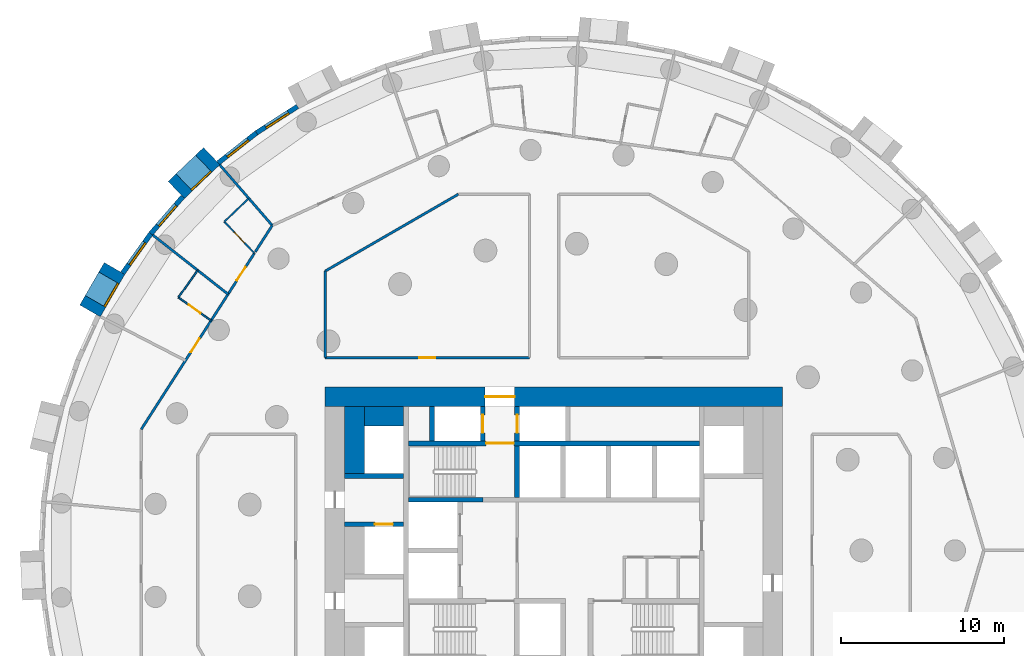
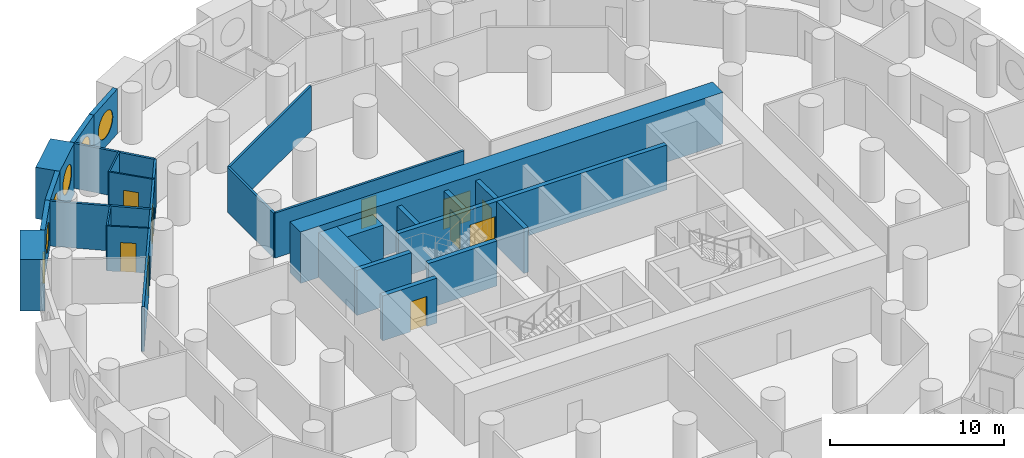
# One storey, part 7 of 11: 28 walls, 10 doors, 6 windows, 16 openings.
"""IFC4 building model written with IfcOpenShell, lengths in metres."""

from ifc_helpers import new_model, si_unit, direction, frame, frame_2d, origin, origin_2d, place, context, subcontext, project, spatial, rectangle, circle, extrude, material, layer, layer_set, type_object, element, fill, save


model = new_model("IFC4")

# Units and contexts
model_context = context("Model", 3, precision=1e-05, world=origin(), true_north=direction((0.0, 1.0)))
body_context = subcontext(model_context, "Body", "Model", "MODEL_VIEW")
ifc_project = project(units=[si_unit("LENGTHUNIT", "METRE"), si_unit("AREAUNIT", "SQUARE_METRE"), si_unit("VOLUMEUNIT", "CUBIC_METRE"), si_unit("PLANEANGLEUNIT", "RADIAN"), si_unit("MASSUNIT", "GRAM", prefix="KILO")], contexts=[model_context])

# Site, building, storey
site_placement = place(None, origin())
site = spatial("IfcSite", under=ifc_project, at=site_placement, CompositionType="ELEMENT")
building_placement = place(site_placement, origin())
building = spatial("IfcBuilding", under=site, at=building_placement, Name="Tracery Tower", CompositionType="ELEMENT")
storey_placement = place(building_placement, frame((0.0, 0.0, 93.0)))
storey = spatial("IfcBuildingStorey", under=building, at=storey_placement, Name="L23", CompositionType="ELEMENT", Elevation=93.0)

# Walls
ifc_material_1 = material(Name="Concrete C60/75", Category="concrete")
ifc_layer_1 = layer(ifc_material_1, 1.199951171875)
ifc_layer_set_1 = layer_set([ifc_layer_1], Name="Core strip wall 1200 C60")
wall_type_1 = type_object("IfcWallType", Name="Core strip wall 1200 C60", PredefinedType="SOLIDWALL", material=ifc_layer_set_1)
wall_1_placement = place(storey_placement, frame((-12.199951171875, 4.699951171875, 0.0), z_axis=(0.0, 0.0, 1.0), x_axis=(0.0, 1.0, 0.0)))
element("IfcWall", 1, at=wall_1_placement, inside=storey, type_object=wall_type_1, Name="L23 wing strip -1 4.55", PredefinedType="SOLIDWALL", context=body_context, shape_type="SweptSolid", body=[
    extrude(rectangle(XDim=4.10009765625, YDim=1.199951171875, at=frame_2d((2.050048828125, 0.0))), origin(), (0.0, 0.0, 1.0), 3.14990234375),
])
wall_2_placement = place(storey_placement, frame((-11.60009765625, 8.199951171875, 0.0), z_axis=(0.0, 0.0, 1.0), x_axis=(1.0, 0.0, 0.0)))
element("IfcWall", 2, at=wall_2_placement, inside=storey, type_object=wall_type_1, Name="L23 wing corner -1 +8.2", PredefinedType="SOLIDWALL", context=body_context, shape_type="SweptSolid", body=[
    extrude(rectangle(XDim=2.400146484375, YDim=1.199951171875, at=frame_2d((1.2001953125, 0.0))), origin(), (0.0, 0.0, 1.0), 3.14990234375),
])

# Wall, opening, door
ifc_material_2 = material(Name="Concrete C60/75", Category="concrete")
ifc_layer_2 = layer(ifc_material_2, 1.199951171875)
ifc_layer_set_2 = layer_set([ifc_layer_2], Name="Core wall 1200 C60")
wall_type_2 = type_object("IfcWallType", Name="Core wall 1200 C60", PredefinedType="SOLIDWALL", material=ifc_layer_set_2)
wall_3_placement = place(storey_placement, frame((-14.0, 9.39990234375, 0.0), z_axis=(0.0, 0.0, 1.0), x_axis=(1.0, 0.0, 0.0)))
wall_3 = element("IfcWall", 3, at=wall_3_placement, inside=storey, type_object=wall_type_2, Name="L23 outer N", PredefinedType="SOLIDWALL", context=body_context, shape_type="SweptSolid", body=[
    extrude(rectangle(XDim=28.0, YDim=1.199951171875, at=frame_2d((14.0, 0.0))), origin(), (0.0, 0.0, 1.0), 3.60009765625),
])
opening_1_placement = place(wall_3_placement, frame((9.800048828125, 0.0, 0.0)))
opening_1 = element("IfcOpeningElement", 4, at=opening_1_placement, cuts=wall_3, Name="Opening KD13", PredefinedType="OPENING", context=body_context, shape_type="SweptSolid", body=[
    extrude(rectangle(XDim=1.800048828125, YDim=2.10009765625, at=frame_2d((0.89990234375, 1.050048828125))), frame((0.0, 0.60009765625, 0.0), z_axis=(0.0, -1.0, 0.0), x_axis=(1.0, 0.0, 0.0)), (0.0, 0.0, 1.0), 1.199951171875),
])
ifc_material_3 = material(Name="Steel fire door", Category="steel")
door_type_1 = type_object("IfcDoorType", Name="Core exit door 1800 double", OperationType="NOTDEFINED", PredefinedType="DOOR", material=ifc_material_3)
door_1_placement = place(opening_1_placement, origin())
door_1 = element("IfcDoor", 5, at=door_1_placement, inside=storey, type_object=door_type_1, Name="Core exit door", OperationType="DOUBLE_DOOR_SINGLE_SWING", OverallHeight=2.10009765625, OverallWidth=1.800048828125, PredefinedType="DOOR", context=body_context, shape_type="SweptSolid", body=[
    extrude(rectangle(XDim=1.800048828125, YDim=2.10009765625, at=frame_2d((0.89990234375, 1.050048828125))), frame((0.0, 0.02490234375, 0.0), z_axis=(0.0, -1.0, 0.0), x_axis=(1.0, 0.0, 0.0)), (0.0, 0.0, 1.0), 0.050048828125),
])
fill(opening_1, door_1)

# Wall, opening, window
ifc_material_4 = material(Name="Precast concrete C50/60", Category="concrete")
ifc_layer_3 = layer(ifc_material_4, 1.449951171875)
ifc_layer_set_3 = layer_set([ifc_layer_3], Name="Deep-set bay unit 3000 x 3600, slab edge 450")
wall_type_3 = type_object("IfcWallType", Name="Deep-set bay unit 3000 x 3600, slab edge 450", PredefinedType="ELEMENTEDWALL", material=ifc_layer_set_3)
wall_4_placement = place(storey_placement, frame((-20.9375, 24.13232421875, -0.449951171875), z_axis=(0.0, 0.0, 1.0), x_axis=(-0.723712023899, -0.690102098579, 0.0)))
wall_4 = element("IfcWall", 6, at=wall_4_placement, inside=storey, type_object=wall_type_3, Name="Deep-set bay unit 25 at L23", PredefinedType="ELEMENTEDWALL", context=body_context, shape_type="SweptSolid", body=[
    extrude(rectangle(XDim=3.0, YDim=1.449951171875, at=frame_2d((1.5, 0.0))), origin(), (0.0, 0.0, 1.0), 3.599853515625),
])
opening_2_placement = place(wall_4_placement, frame((1.5, 0.0, 2.0)))
opening_2 = element("IfcOpeningElement", 7, at=opening_2_placement, cuts=wall_4, Name="Opening WN1", PredefinedType="OPENING", context=body_context, shape_type="SweptSolid", body=[
    extrude(circle(Radius=0.9000244140625, at=origin_2d()), frame((0.0, 0.73486328125, 0.0), z_axis=(0.0, -1.0, 0.0), x_axis=(1.0, 0.0, 0.0)), (0.0, 0.0, 1.0), 1.469970703125),
])
ifc_material_5 = material(Name="Aluminium frame with tinted double glazing", Category="aluminium")
window_type = type_object("IfcWindowType", Name="Round window 1800", PartitioningType="SINGLE_PANEL", PredefinedType="WINDOW", material=ifc_material_5)
window_1_placement = place(opening_2_placement, origin())
window_1 = element("IfcWindow", 8, at=window_1_placement, inside=storey, type_object=window_type, Name="Round window 25 at L23", OverallHeight=1.800048828125, OverallWidth=1.800048828125, PartitioningType="SINGLE_PANEL", PredefinedType="WINDOW", context=body_context, shape_type="SweptSolid", body=[
    extrude(circle(Radius=0.9000244140625, at=origin_2d()), frame((0.0, 0.69482421875, 0.0), z_axis=(0.0, -1.0, 0.0), x_axis=(1.0, 0.0, 0.0)), (0.0, 0.0, 1.0), 0.10009765625),
])
fill(opening_2, window_1)

wall_5_placement = place(storey_placement, frame((-26.88818359375, 17.256103515625, -0.449951171875), z_axis=(0.0, 0.0, 1.0), x_axis=(-0.499990139034, -0.866031096941, 0.0)))
wall_5 = element("IfcWall", 9, at=wall_5_placement, inside=storey, type_object=wall_type_3, Name="Deep-set bay unit 28 at L23", PredefinedType="ELEMENTEDWALL", context=body_context, shape_type="SweptSolid", body=[
    extrude(rectangle(XDim=3.0, YDim=1.449951171875, at=frame_2d((1.5, 0.0))), origin(), (0.0, 0.0, 1.0), 3.599853515625),
])
opening_3_placement = place(wall_5_placement, frame((1.5, 0.0, 2.0)))
opening_3 = element("IfcOpeningElement", 10, at=opening_3_placement, cuts=wall_5, Name="Opening WN1", PredefinedType="OPENING", context=body_context, shape_type="SweptSolid", body=[
    extrude(circle(Radius=0.9000244140625, at=origin_2d()), frame((0.0, 0.73486328125, 0.0), z_axis=(0.0, -1.0, 0.0), x_axis=(1.0, 0.0, 0.0)), (0.0, 0.0, 1.0), 1.469970703125),
])
window_2_placement = place(opening_3_placement, origin())
window_2 = element("IfcWindow", 11, at=window_2_placement, inside=storey, type_object=window_type, Name="Round window 28 at L23", OverallHeight=1.800048828125, OverallWidth=1.800048828125, PartitioningType="SINGLE_PANEL", PredefinedType="WINDOW", context=body_context, shape_type="SweptSolid", body=[
    extrude(circle(Radius=0.9000244140625, at=origin_2d()), frame((0.0, 0.69482421875, 0.0), z_axis=(0.0, -1.0, 0.0), x_axis=(1.0, 0.0, 0.0)), (0.0, 0.0, 1.0), 0.10009765625),
])
fill(opening_3, window_2)

ifc_material_6 = material(Name="Precast concrete C50/60", Category="concrete")
ifc_layer_4 = layer(ifc_material_6, 0.300048828125)
ifc_layer_set_4 = layer_set([ifc_layer_4], Name="Facade panel 3000 x 3150")
wall_type_4 = type_object("IfcWallType", Name="Facade panel 3000 x 3150", PredefinedType="SOLIDWALL", material=ifc_layer_set_4)
wall_6_placement = place(storey_placement, frame((-15.6923828125, 27.167724609375, 0.0), z_axis=(0.0, 0.0, 1.0), x_axis=(-0.841260995538, -0.54062920508, 0.0)))
wall_6 = element("IfcWall", 12, at=wall_6_placement, inside=storey, type_object=wall_type_4, Name="Facade panel 23 at L23", PredefinedType="SOLIDWALL", context=body_context, shape_type="SweptSolid", body=[
    extrude(rectangle(XDim=2.9794921875, YDim=0.300048828125, at=frame_2d((1.48974609375, 0.0))), origin(), (0.0, 0.0, 1.0), 3.14990234375),
])
opening_4_placement = place(wall_6_placement, frame((1.48974609375, 0.0, 1.5498046875)))
opening_4 = element("IfcOpeningElement", 13, at=opening_4_placement, cuts=wall_6, Name="Opening WN1", PredefinedType="OPENING", context=body_context, shape_type="SweptSolid", body=[
    extrude(circle(Radius=0.9000244140625, at=origin_2d()), frame((0.0, 0.159912109375, 0.0), z_axis=(0.0, -1.0, 0.0), x_axis=(1.0, 0.0, 0.0)), (0.0, 0.0, 1.0), 0.320068359375),
])
window_3_placement = place(opening_4_placement, origin())
window_3 = element("IfcWindow", 14, at=window_3_placement, inside=storey, type_object=window_type, Name="Round window 23 at L23", OverallHeight=1.800048828125, OverallWidth=1.800048828125, PartitioningType="SINGLE_PANEL", PredefinedType="WINDOW", context=body_context, shape_type="SweptSolid", body=[
    extrude(circle(Radius=0.9000244140625, at=origin_2d()), frame((0.0, 0.1201171875, 0.0), z_axis=(0.0, -1.0, 0.0), x_axis=(1.0, 0.0, 0.0)), (0.0, 0.0, 1.0), 0.10009765625),
])
fill(opening_4, window_3)

wall_7_placement = place(storey_placement, frame((-18.198974609375, 25.556884765625, 0.0), z_axis=(0.0, 0.0, 1.0), x_axis=(-0.786053834673, -0.618158045322, 0.0)))
wall_7 = element("IfcWall", 15, at=wall_7_placement, inside=storey, type_object=wall_type_4, Name="Facade panel 24 at L23", PredefinedType="SOLIDWALL", context=body_context, shape_type="SweptSolid", body=[
    extrude(rectangle(XDim=2.9794921875, YDim=0.300048828125, at=frame_2d((1.48974609375, 0.0))), origin(), (0.0, 0.0, 1.0), 3.14990234375),
])
opening_5_placement = place(wall_7_placement, frame((1.48974609375, 0.0, 1.5498046875)))
opening_5 = element("IfcOpeningElement", 16, at=opening_5_placement, cuts=wall_7, Name="Opening WN1", PredefinedType="OPENING", context=body_context, shape_type="SweptSolid", body=[
    extrude(circle(Radius=0.9000244140625, at=origin_2d()), frame((0.0, 0.159912109375, 0.0), z_axis=(0.0, -1.0, 0.0), x_axis=(1.0, 0.0, 0.0)), (0.0, 0.0, 1.0), 0.320068359375),
])
window_4_placement = place(opening_5_placement, origin())
window_4 = element("IfcWindow", 17, at=window_4_placement, inside=storey, type_object=window_type, Name="Round window 24 at L23", OverallHeight=1.800048828125, OverallWidth=1.800048828125, PartitioningType="SINGLE_PANEL", PredefinedType="WINDOW", context=body_context, shape_type="SweptSolid", body=[
    extrude(circle(Radius=0.9000244140625, at=origin_2d()), frame((0.0, 0.1201171875, 0.0), z_axis=(0.0, -1.0, 0.0), x_axis=(1.0, 0.0, 0.0)), (0.0, 0.0, 1.0), 0.10009765625),
])
fill(opening_5, window_4)

wall_8_placement = place(storey_placement, frame((-22.710693359375, 21.646240234375, 0.0), z_axis=(0.0, 0.0, 1.0), x_axis=(-0.654830712471, -0.755775587066, 0.0)))
wall_8 = element("IfcWall", 18, at=wall_8_placement, inside=storey, type_object=wall_type_4, Name="Facade panel 26 at L23", PredefinedType="SOLIDWALL", context=body_context, shape_type="SweptSolid", body=[
    extrude(rectangle(XDim=2.979736328125, YDim=0.300048828125, at=frame_2d((1.48974609375, 0.0))), origin(), (0.0, 0.0, 1.0), 3.14990234375),
])
opening_6_placement = place(wall_8_placement, frame((1.48974609375, 0.0, 1.5498046875)))
opening_6 = element("IfcOpeningElement", 19, at=opening_6_placement, cuts=wall_8, Name="Opening WN1", PredefinedType="OPENING", context=body_context, shape_type="SweptSolid", body=[
    extrude(circle(Radius=0.9000244140625, at=origin_2d()), frame((0.0, 0.159912109375, 0.0), z_axis=(0.0, -1.0, 0.0), x_axis=(1.0, 0.0, 0.0)), (0.0, 0.0, 1.0), 0.320068359375),
])
window_5_placement = place(opening_6_placement, origin())
window_5 = element("IfcWindow", 20, at=window_5_placement, inside=storey, type_object=window_type, Name="Round window 26 at L23", OverallHeight=1.800048828125, OverallWidth=1.800048828125, PartitioningType="SINGLE_PANEL", PredefinedType="WINDOW", context=body_context, shape_type="SweptSolid", body=[
    extrude(circle(Radius=0.9000244140625, at=origin_2d()), frame((0.0, 0.1201171875, 0.0), z_axis=(0.0, -1.0, 0.0), x_axis=(1.0, 0.0, 0.0)), (0.0, 0.0, 1.0), 0.10009765625),
])
fill(opening_6, window_5)

wall_9_placement = place(storey_placement, frame((-24.661865234375, 19.394287109375, 0.0), z_axis=(0.0, 0.0, 1.0), x_axis=(-0.580113774115, -0.814535456, 0.0)))
wall_9 = element("IfcWall", 21, at=wall_9_placement, inside=storey, type_object=wall_type_4, Name="Facade panel 27 at L23", PredefinedType="SOLIDWALL", context=body_context, shape_type="SweptSolid", body=[
    extrude(rectangle(XDim=2.979736328125, YDim=0.300048828125, at=frame_2d((1.48974609375, 0.0))), origin(), (0.0, 0.0, 1.0), 3.14990234375),
])
opening_7_placement = place(wall_9_placement, frame((1.48974609375, 0.0, 1.5498046875)))
opening_7 = element("IfcOpeningElement", 22, at=opening_7_placement, cuts=wall_9, Name="Opening WN1", PredefinedType="OPENING", context=body_context, shape_type="SweptSolid", body=[
    extrude(circle(Radius=0.9000244140625, at=origin_2d()), frame((0.0, 0.159912109375, 0.0), z_axis=(0.0, -1.0, 0.0), x_axis=(1.0, 0.0, 0.0)), (0.0, 0.0, 1.0), 0.320068359375),
])
window_6_placement = place(opening_7_placement, origin())
window_6 = element("IfcWindow", 23, at=window_6_placement, inside=storey, type_object=window_type, Name="Round window 27 at L23", OverallHeight=1.800048828125, OverallWidth=1.800048828125, PartitioningType="SINGLE_PANEL", PredefinedType="WINDOW", context=body_context, shape_type="SweptSolid", body=[
    extrude(circle(Radius=0.9000244140625, at=origin_2d()), frame((0.0, 0.1201171875, 0.0), z_axis=(0.0, -1.0, 0.0), x_axis=(1.0, 0.0, 0.0)), (0.0, 0.0, 1.0), 0.10009765625),
])
fill(opening_7, window_6)

# Wall
ifc_material_7 = material(Name="Plasterboard on steel studs", Category="steel")
ifc_layer_5 = layer(ifc_material_7, 0.10009765625)
ifc_layer_set_5 = layer_set([ifc_layer_5], Name="Partition 100 wet wall")
wall_type_5 = type_object("IfcWallType", Name="Partition 100 wet wall", PredefinedType="PARTITIONING", material=ifc_layer_set_5)
wall_10_placement = place(storey_placement, frame((-20.1689453125, 20.117919921875, 0.0), z_axis=(0.0, 0.0, 1.0), x_axis=(0.723537557066, 0.690285016145, 0.0)))
element("IfcWall", 24, at=wall_10_placement, inside=storey, type_object=wall_type_5, Name="Wet wall RA7-063", PredefinedType="PARTITIONING", context=body_context, shape_type="SweptSolid", body=[
    extrude(rectangle(XDim=2.070556640625, YDim=0.10009765625, at=frame_2d((1.03515625, 0.0))), origin(), (0.0, 0.0, 1.0), 3.14990234375),
])

# Wall, opening, door
wall_11_placement = place(storey_placement, frame((-20.1689453125, 20.117919921875, 0.0), z_axis=(0.0, 0.0, 1.0), x_axis=(0.690011756227, -0.723798159896, 0.0)))
wall_11 = element("IfcWall", 25, at=wall_11_placement, inside=storey, type_object=wall_type_5, Name="Wet wall RA7-064", PredefinedType="PARTITIONING", context=body_context, shape_type="SweptSolid", body=[
    extrude(rectangle(XDim=2.66650390625, YDim=0.10009765625, at=frame_2d((1.333251953125, 0.0))), origin(), (0.0, 0.0, 1.0), 3.14990234375),
])
opening_8_placement = place(wall_11_placement, frame((0.883056640625, 0.0, 0.0)))
opening_8 = element("IfcOpeningElement", 26, at=opening_8_placement, cuts=wall_11, Name="Opening RA7-19", PredefinedType="OPENING", context=body_context, shape_type="SweptSolid", body=[
    extrude(rectangle(XDim=0.89990234375, YDim=2.0400390625, at=frame_2d((0.449951171875, 1.02001953125))), frame((0.0, 0.050048828125, 0.0), z_axis=(0.0, -1.0, 0.0), x_axis=(1.0, 0.0, 0.0)), (0.0, 0.0, 1.0), 0.10009765625),
])
ifc_material_8 = material(Name="Timber door leaf", Category="wood")
door_type_2 = type_object("IfcDoorType", Name="Door en-suite 900", OperationType="NOTDEFINED", PredefinedType="DOOR", material=ifc_material_8)
door_2_placement = place(opening_8_placement, origin())
door_2 = element("IfcDoor", 27, at=door_2_placement, inside=storey, type_object=door_type_2, Name="En-suite door RA7-19", OperationType="SINGLE_SWING_LEFT", OverallHeight=2.0400390625, OverallWidth=0.89990234375, PredefinedType="DOOR", context=body_context, shape_type="SweptSolid", body=[
    extrude(rectangle(XDim=0.89990234375, YDim=2.0400390625, at=frame_2d((0.449951171875, 1.02001953125))), frame((0.0, 0.02490234375, 0.0), z_axis=(0.0, -1.0, 0.0), x_axis=(1.0, 0.0, 0.0)), (0.0, 0.0, 1.0), 0.050048828125),
])
fill(opening_8, door_2)

# Wall
wall_12_placement = place(storey_placement, frame((-22.97802734375, 15.486083984375, 0.0), z_axis=(0.0, 0.0, 1.0), x_axis=(0.580283748447, 0.814414373208, 0.0)))
element("IfcWall", 28, at=wall_12_placement, inside=storey, type_object=wall_type_5, Name="Wet wall RA7-066", PredefinedType="PARTITIONING", context=body_context, shape_type="SweptSolid", body=[
    extrude(rectangle(XDim=2.033447265625, YDim=0.10009765625, at=frame_2d((1.0166015625, 0.0))), origin(), (0.0, 0.0, 1.0), 3.14990234375),
])

# Wall, opening, door
wall_13_placement = place(storey_placement, frame((-22.97802734375, 15.486083984375, 0.0), z_axis=(0.0, 0.0, 1.0), x_axis=(0.814519517834, -0.580136152181, 0.0)))
wall_13 = element("IfcWall", 29, at=wall_13_placement, inside=storey, type_object=wall_type_5, Name="Wet wall RA7-067", PredefinedType="PARTITIONING", context=body_context, shape_type="SweptSolid", body=[
    extrude(rectangle(XDim=2.453125, YDim=0.10009765625, at=frame_2d((1.2265625, 0.0))), origin(), (0.0, 0.0, 1.0), 3.14990234375),
])
opening_9_placement = place(wall_13_placement, frame((0.77587890625, 0.0, 0.0)))
opening_9 = element("IfcOpeningElement", 30, at=opening_9_placement, cuts=wall_13, Name="Opening RA7-21", PredefinedType="OPENING", context=body_context, shape_type="SweptSolid", body=[
    extrude(rectangle(XDim=0.89990234375, YDim=2.0400390625, at=frame_2d((0.449951171875, 1.02001953125))), frame((0.0, 0.050048828125, 0.0), z_axis=(0.0, -1.0, 0.0), x_axis=(1.0, 0.0, 0.0)), (0.0, 0.0, 1.0), 0.10009765625),
])
door_3_placement = place(opening_9_placement, origin())
door_3 = element("IfcDoor", 31, at=door_3_placement, inside=storey, type_object=door_type_2, Name="En-suite door RA7-21", OperationType="SINGLE_SWING_LEFT", OverallHeight=2.0400390625, OverallWidth=0.89990234375, PredefinedType="DOOR", context=body_context, shape_type="SweptSolid", body=[
    extrude(rectangle(XDim=0.89990234375, YDim=2.0400390625, at=frame_2d((0.449951171875, 1.02001953125))), frame((0.0, 0.02490234375, 0.0), z_axis=(0.0, -1.0, 0.0), x_axis=(1.0, 0.0, 0.0)), (0.0, 0.0, 1.0), 0.050048828125),
])
fill(opening_9, door_3)

# Walls
ifc_material_9 = material(Name="Plasterboard on steel studs", Category="steel")
ifc_layer_6 = layer(ifc_material_9, 0.14990234375)
ifc_layer_set_6 = layer_set([ifc_layer_6], Name="Partition 150 acoustic unit wall")
wall_type_6 = type_object("IfcWallType", Name="Partition 150 acoustic unit wall", PredefinedType="PARTITIONING", material=ifc_layer_set_6)
wall_14_placement = place(storey_placement, frame((-20.447998046875, 23.597900390625, 0.0), z_axis=(0.0, 0.0, 1.0), x_axis=(0.654900226821, -0.755715351776, 0.0)))
element("IfcWall", 32, at=wall_14_placement, inside=storey, type_object=wall_type_6, Name="Unit wall RA7-062", PredefinedType="PARTITIONING", context=body_context, shape_type="SweptSolid", body=[
    extrude(rectangle(XDim=4.90625, YDim=0.14990234375, at=frame_2d((2.453125, 0.0))), origin(), (0.0, 0.0, 1.0), 3.14990234375),
])
wall_15_placement = place(storey_placement, frame((-24.5439453125, 19.302001953125, 0.0), z_axis=(0.0, 0.0, 1.0), x_axis=(0.786034767432, -0.618182290581, 0.0)))
element("IfcWall", 33, at=wall_15_placement, inside=storey, type_object=wall_type_6, Name="Unit wall RA7-065", PredefinedType="PARTITIONING", context=body_context, shape_type="SweptSolid", body=[
    extrude(rectangle(XDim=5.857177734375, YDim=0.14990234375, at=frame_2d((2.9287109375, 0.0))), origin(), (0.0, 0.0, 1.0), 3.14990234375),
])

# Wall, opening, door
ifc_material_10 = material(Name="Plasterboard on steel studs", Category="steel")
ifc_layer_7 = layer(ifc_material_10, 0.14990234375)
ifc_layer_set_7 = layer_set([ifc_layer_7], Name="Partition 150 corridor wall")
wall_type_7 = type_object("IfcWallType", Name="Partition 150 corridor wall", PredefinedType="PARTITIONING", material=ifc_layer_set_7)
wall_16_placement = place(storey_placement, frame((-14.00390625, 11.800048828125, 0.0), z_axis=(0.0, 0.0, 1.0), x_axis=(1.0, 0.0, 0.0)))
wall_16 = element("IfcWall", 34, at=wall_16_placement, inside=storey, type_object=wall_type_7, Name="Corridor wall RA7-001", PredefinedType="PARTITIONING", context=body_context, shape_type="SweptSolid", body=[
    extrude(rectangle(XDim=12.517822265625, YDim=0.14990234375, at=frame_2d((6.2587890625, 0.0))), origin(), (0.0, 0.0, 1.0), 3.14990234375),
])
opening_10_placement = place(wall_16_placement, frame((5.759033203125, 0.0, 0.0)))
opening_10 = element("IfcOpeningElement", 35, at=opening_10_placement, cuts=wall_16, Name="Opening RA7-01", PredefinedType="OPENING", context=body_context, shape_type="SweptSolid", body=[
    extrude(rectangle(XDim=1.0, YDim=2.0400390625, at=frame_2d((0.5, 1.02001953125))), frame((0.0, 0.074951171875, 0.0), z_axis=(0.0, -1.0, 0.0), x_axis=(1.0, 0.0, 0.0)), (0.0, 0.0, 1.0), 0.14990234375),
])
ifc_material_11 = material(Name="Timber door leaf", Category="wood")
door_type_3 = type_object("IfcDoorType", Name="Door communal room 1000", OperationType="NOTDEFINED", PredefinedType="DOOR", material=ifc_material_11)
door_4_placement = place(opening_10_placement, origin())
door_4 = element("IfcDoor", 36, at=door_4_placement, inside=storey, type_object=door_type_3, Name="Communal room door RA7-01", OperationType="SINGLE_SWING_RIGHT", OverallHeight=2.0400390625, OverallWidth=1.0, PredefinedType="DOOR", context=body_context, shape_type="SweptSolid", body=[
    extrude(rectangle(XDim=1.0, YDim=2.0400390625, at=frame_2d((0.5, 1.02001953125))), frame((0.0, 0.02490234375, 0.0), z_axis=(0.0, -1.0, 0.0), x_axis=(1.0, 0.0, 0.0)), (0.0, 0.0, 1.0), 0.050048828125),
])
fill(opening_10, door_4)

# Walls
wall_17_placement = place(storey_placement, frame((-14.0, 17.092041015625, 0.0), z_axis=(0.0, 0.0, 1.0), x_axis=(0.86602719091, 0.499996904595, 0.0)))
element("IfcWall", 37, at=wall_17_placement, inside=storey, type_object=wall_type_7, Name="Corridor wall RA7-018", PredefinedType="PARTITIONING", context=body_context, shape_type="SweptSolid", body=[
    extrude(rectangle(XDim=9.419921875, YDim=0.14990234375, at=frame_2d((4.7099609375, 0.0))), origin(), (0.0, 0.0, 1.0), 3.14990234375),
])
wall_18_placement = place(storey_placement, frame((-14.0, 11.800048828125, 0.0), z_axis=(0.0, 0.0, 1.0), x_axis=(0.0, 1.0, 0.0)))
element("IfcWall", 38, at=wall_18_placement, inside=storey, type_object=wall_type_7, Name="Corridor wall RA7-019", PredefinedType="PARTITIONING", context=body_context, shape_type="SweptSolid", body=[
    extrude(rectangle(XDim=5.2919921875, YDim=0.14990234375, at=frame_2d((2.64599609375, 0.0))), origin(), (0.0, 0.0, 1.0), 3.14990234375),
])
wall_19_placement = place(storey_placement, frame((-18.27392578125, 18.27392578125, 0.0), z_axis=(0.0, 0.0, 1.0), x_axis=(0.540751168176, 0.841182604502, 0.0)))
element("IfcWall", 39, at=wall_19_placement, inside=storey, type_object=wall_type_7, Name="Corridor wall RA7-026", PredefinedType="PARTITIONING", context=body_context, shape_type="SweptSolid", body=[
    extrude(rectangle(XDim=1.921142578125, YDim=0.14990234375, at=frame_2d((0.96044921875, 0.0))), origin(), (0.0, 0.0, 1.0), 3.14990234375),
])

# Wall, openings, doors
wall_20_placement = place(storey_placement, frame((-25.2509765625, 7.413818359375, 0.0), z_axis=(0.0, 0.0, 1.0), x_axis=(0.540498462047, 0.84134500208, 0.0)))
wall_20 = element("IfcWall", 40, at=wall_20_placement, inside=storey, type_object=wall_type_7, Name="Corridor wall RA7-033", PredefinedType="PARTITIONING", context=body_context, shape_type="SweptSolid", body=[
    extrude(rectangle(XDim=12.810546875, YDim=0.14990234375, at=frame_2d((6.4052734375, 0.0))), origin(), (0.0, 0.0, 1.0), 3.14990234375),
])
opening_11_placement = place(wall_20_placement, frame((10.816650390625, 0.0, 0.0)))
opening_11 = element("IfcOpeningElement", 41, at=opening_11_placement, cuts=wall_20, Name="Opening RA7-20", PredefinedType="OPENING", context=body_context, shape_type="SweptSolid", body=[
    extrude(rectangle(XDim=1.0, YDim=2.10009765625, at=frame_2d((0.5, 1.050048828125))), frame((0.0, 0.074951171875, 0.0), z_axis=(0.0, -1.0, 0.0), x_axis=(1.0, 0.0, 0.0)), (0.0, 0.0, 1.0), 0.14990234375),
])
opening_12_placement = place(wall_20_placement, frame((5.602783203125, 0.0, 0.0)))
opening_12 = element("IfcOpeningElement", 42, at=opening_12_placement, cuts=wall_20, Name="Opening RA7-22", PredefinedType="OPENING", context=body_context, shape_type="SweptSolid", body=[
    extrude(rectangle(XDim=1.0, YDim=2.10009765625, at=frame_2d((0.5, 1.050048828125))), frame((0.0, 0.074951171875, 0.0), z_axis=(0.0, -1.0, 0.0), x_axis=(1.0, 0.0, 0.0)), (0.0, 0.0, 1.0), 0.14990234375),
])
ifc_material_12 = material(Name="Timber door leaf", Category="wood")
door_type_4 = type_object("IfcDoorType", Name="Door unit entrance 1000", OperationType="NOTDEFINED", PredefinedType="DOOR", material=ifc_material_12)
door_5_placement = place(opening_11_placement, origin())
door_5 = element("IfcDoor", 43, at=door_5_placement, inside=storey, type_object=door_type_4, Name="Unit entrance door RA7-20", OperationType="SINGLE_SWING_LEFT", OverallHeight=2.10009765625, OverallWidth=1.0, PredefinedType="DOOR", context=body_context, shape_type="SweptSolid", body=[
    extrude(rectangle(XDim=1.0, YDim=2.10009765625, at=frame_2d((0.5, 1.050048828125))), frame((0.0, 0.02490234375, 0.0), z_axis=(0.0, -1.0, 0.0), x_axis=(1.0, 0.0, 0.0)), (0.0, 0.0, 1.0), 0.050048828125),
])
fill(opening_11, door_5)
door_6_placement = place(opening_12_placement, origin())
door_6 = element("IfcDoor", 44, at=door_6_placement, inside=storey, type_object=door_type_4, Name="Unit entrance door RA7-22", OperationType="SINGLE_SWING_LEFT", OverallHeight=2.10009765625, OverallWidth=1.0, PredefinedType="DOOR", context=body_context, shape_type="SweptSolid", body=[
    extrude(rectangle(XDim=1.0, YDim=2.10009765625, at=frame_2d((0.5, 1.050048828125))), frame((0.0, 0.02490234375, 0.0), z_axis=(0.0, -1.0, 0.0), x_axis=(1.0, 0.0, 0.0)), (0.0, 0.0, 1.0), 0.050048828125),
])
fill(opening_12, door_6)

# Wall
ifc_material_13 = material(Name="Concrete C60/75", Category="concrete")
ifc_layer_8 = layer(ifc_material_13, 0.300048828125)
ifc_layer_set_8 = layer_set([ifc_layer_8], Name="Shaft wall 300 C60")
wall_type_8 = type_object("IfcWallType", Name="Shaft wall 300 C60", PredefinedType="SOLIDWALL", material=ifc_layer_set_8)
wall_21_placement = place(storey_placement, frame((-7.449951171875, 6.699951171875, 0.0), z_axis=(0.0, 0.0, 1.0), x_axis=(0.0, 1.0, 0.0)))
element("IfcWall", 45, at=wall_21_placement, inside=storey, type_object=wall_type_8, Name="L23 LR sep -7.45", PredefinedType="SOLIDWALL", context=body_context, shape_type="SweptSolid", body=[
    extrude(rectangle(XDim=2.10009765625, YDim=0.300048828125, at=frame_2d((1.050048828125, 0.0))), origin(), (0.0, 0.0, 1.0), 3.14990234375),
])

# Wall, opening, door
wall_22_placement = place(storey_placement, frame((-4.35009765625, 6.699951171875, 0.0), z_axis=(0.0, 0.0, 1.0), x_axis=(0.0, 1.0, 0.0)))
wall_22 = element("IfcWall", 46, at=wall_22_placement, inside=storey, type_object=wall_type_8, Name="L23 LR sep -4.35", PredefinedType="SOLIDWALL", context=body_context, shape_type="SweptSolid", body=[
    extrude(rectangle(XDim=2.10009765625, YDim=0.300048828125, at=frame_2d((1.050048828125, 0.0))), origin(), (0.0, 0.0, 1.0), 3.14990234375),
])
opening_13_placement = place(wall_22_placement, frame((0.5, 0.0, 0.0)))
opening_13 = element("IfcOpeningElement", 47, at=opening_13_placement, cuts=wall_22, Name="Opening KD50", PredefinedType="OPENING", context=body_context, shape_type="SweptSolid", body=[
    extrude(rectangle(XDim=1.10009765625, YDim=2.10009765625, at=frame_2d((0.550048828125, 1.050048828125))), frame((0.0, 0.14990234375, 0.0), z_axis=(0.0, -1.0, 0.0), x_axis=(1.0, 0.0, 0.0)), (0.0, 0.0, 1.0), 0.300048828125),
])
ifc_material_14 = material(Name="Steel fire door", Category="steel")
door_type_5 = type_object("IfcDoorType", Name="Landing door 1100", OperationType="NOTDEFINED", PredefinedType="DOOR", material=ifc_material_14)
door_7_placement = place(opening_13_placement, origin())
door_7 = element("IfcDoor", 48, at=door_7_placement, inside=storey, type_object=door_type_5, Name="Landing door LR3", OperationType="SLIDING_TO_RIGHT", OverallHeight=2.10009765625, OverallWidth=1.10009765625, PredefinedType="DOOR", context=body_context, shape_type="SweptSolid", body=[
    extrude(rectangle(XDim=1.10009765625, YDim=2.10009765625, at=frame_2d((0.550048828125, 1.050048828125))), frame((0.0, 0.02490234375, 0.0), z_axis=(0.0, -1.0, 0.0), x_axis=(1.0, 0.0, 0.0)), (0.0, 0.0, 1.0), 0.050048828125),
])
fill(opening_13, door_7)

# Wall
wall_23_placement = place(storey_placement, frame((-12.800048828125, 4.550048828125, 0.0), z_axis=(0.0, 0.0, 1.0), x_axis=(1.0, 0.0, 0.0)))
element("IfcWall", 49, at=wall_23_placement, inside=storey, type_object=wall_type_8, Name="L23 wing shaft wall -1 +4.55", PredefinedType="SOLIDWALL", context=body_context, shape_type="SweptSolid", body=[
    extrude(rectangle(XDim=3.60009765625, YDim=0.300048828125, at=frame_2d((1.800048828125, 0.0))), origin(), (0.0, 0.0, 1.0), 3.14990234375),
])

# Wall, opening, door
wall_24_placement = place(storey_placement, frame((-12.800048828125, 1.60009765625, 0.0), z_axis=(0.0, 0.0, 1.0), x_axis=(1.0, 0.0, 0.0)))
wall_24 = element("IfcWall", 50, at=wall_24_placement, inside=storey, type_object=wall_type_8, Name="L23 wing shaft wall -1 +1.60", PredefinedType="SOLIDWALL", context=body_context, shape_type="SweptSolid", body=[
    extrude(rectangle(XDim=3.60009765625, YDim=0.300048828125, at=frame_2d((1.800048828125, 0.0))), origin(), (0.0, 0.0, 1.0), 3.14990234375),
])
opening_14_placement = place(wall_24_placement, frame((1.85009765625, 0.0, 0.0)))
opening_14 = element("IfcOpeningElement", 51, at=opening_14_placement, cuts=wall_24, Name="Opening KD50", PredefinedType="OPENING", context=body_context, shape_type="SweptSolid", body=[
    extrude(rectangle(XDim=1.10009765625, YDim=2.10009765625, at=frame_2d((0.550048828125, 1.050048828125))), frame((0.0, 0.14990234375, 0.0), z_axis=(0.0, -1.0, 0.0), x_axis=(1.0, 0.0, 0.0)), (0.0, 0.0, 1.0), 0.300048828125),
])
door_8_placement = place(opening_14_placement, origin())
door_8 = element("IfcDoor", 52, at=door_8_placement, inside=storey, type_object=door_type_5, Name="Landing door LR1", OperationType="SLIDING_TO_RIGHT", OverallHeight=2.10009765625, OverallWidth=1.10009765625, PredefinedType="DOOR", context=body_context, shape_type="SweptSolid", body=[
    extrude(rectangle(XDim=1.10009765625, YDim=2.10009765625, at=frame_2d((0.550048828125, 1.050048828125))), frame((0.0, 0.02490234375, 0.0), z_axis=(0.0, -1.0, 0.0), x_axis=(1.0, 0.0, 0.0)), (0.0, 0.0, 1.0), 0.050048828125),
])
fill(opening_14, door_8)

# Walls
ifc_material_15 = material(Name="Concrete C60/75", Category="concrete")
ifc_layer_9 = layer(ifc_material_15, 0.300048828125)
ifc_layer_set_9 = layer_set([ifc_layer_9], Name="Stair wall 300 C60")
wall_type_9 = type_object("IfcWallType", Name="Stair wall 300 C60", PredefinedType="SOLIDWALL", material=ifc_layer_set_9)
wall_25_placement = place(storey_placement, frame((-8.89990234375, 3.10009765625, 0.0), z_axis=(0.0, 0.0, 1.0), x_axis=(1.0, 0.0, 0.0)))
element("IfcWall", 53, at=wall_25_placement, inside=storey, type_object=wall_type_9, Name="L23 row N W", PredefinedType="SOLIDWALL", context=body_context, shape_type="SweptSolid", body=[
    extrude(rectangle(XDim=4.5498046875, YDim=0.300048828125, at=frame_2d((2.27490234375, 0.0))), origin(), (0.0, 0.0, 1.0), 3.14990234375),
])
wall_26_placement = place(storey_placement, frame((-2.25, 3.25, 0.0), z_axis=(0.0, 0.0, 1.0), x_axis=(0.0, 1.0, 0.0)))
element("IfcWall", 54, at=wall_26_placement, inside=storey, type_object=wall_type_9, Name="L23 ST3 E", PredefinedType="SOLIDWALL", context=body_context, shape_type="SweptSolid", body=[
    extrude(rectangle(XDim=3.14990234375, YDim=0.300048828125, at=frame_2d((1.574951171875, 0.0))), origin(), (0.0, 0.0, 1.0), 3.14990234375),
])

# Wall, opening, door
wall_27_placement = place(storey_placement, frame((-8.89990234375, 6.550048828125, 0.0), z_axis=(0.0, 0.0, 1.0), x_axis=(1.0, 0.0, 0.0)))
wall_27 = element("IfcWall", 55, at=wall_27_placement, inside=storey, type_object=wall_type_9, Name="L23 F N", PredefinedType="SOLIDWALL", context=body_context, shape_type="SweptSolid", body=[
    extrude(rectangle(XDim=17.7998046875, YDim=0.300048828125, at=frame_2d((8.89990234375, 0.0))), origin(), (0.0, 0.0, 1.0), 3.14990234375),
])
opening_15_placement = place(wall_27_placement, frame((4.75, 0.0, 0.0)))
opening_15 = element("IfcOpeningElement", 56, at=opening_15_placement, cuts=wall_27, Name="Opening KD3", PredefinedType="OPENING", context=body_context, shape_type="SweptSolid", body=[
    extrude(rectangle(XDim=1.699951171875, YDim=2.10009765625, at=frame_2d((0.85009765625, 1.050048828125))), frame((0.0, 0.14990234375, 0.0), z_axis=(0.0, -1.0, 0.0), x_axis=(1.0, 0.0, 0.0)), (0.0, 0.0, 1.0), 0.300048828125),
])
ifc_material_16 = material(Name="Steel fire door", Category="steel")
door_type_6 = type_object("IfcDoorType", Name="Core stair door 1700 double", OperationType="NOTDEFINED", PredefinedType="DOOR", material=ifc_material_16)
door_9_placement = place(opening_15_placement, origin())
door_9 = element("IfcDoor", 57, at=door_9_placement, inside=storey, type_object=door_type_6, Name="Stair door ST3 N", OperationType="DOUBLE_DOOR_SINGLE_SWING", OverallHeight=2.10009765625, OverallWidth=1.699951171875, PredefinedType="DOOR", context=body_context, shape_type="SweptSolid", body=[
    extrude(rectangle(XDim=1.699951171875, YDim=2.10009765625, at=frame_2d((0.85009765625, 1.050048828125))), frame((0.0, 0.02490234375, 0.0), z_axis=(0.0, -1.0, 0.0), x_axis=(1.0, 0.0, 0.0)), (0.0, 0.0, 1.0), 0.050048828125),
])
fill(opening_15, door_9)

wall_28_placement = place(storey_placement, frame((-2.25, 6.699951171875, 0.0), z_axis=(0.0, 0.0, 1.0), x_axis=(0.0, 1.0, 0.0)))
wall_28 = element("IfcWall", 58, at=wall_28_placement, inside=storey, type_object=wall_type_9, Name="L23 ST3 E out", PredefinedType="SOLIDWALL", context=body_context, shape_type="SweptSolid", body=[
    extrude(rectangle(XDim=2.10009765625, YDim=0.300048828125, at=frame_2d((1.050048828125, 0.0))), origin(), (0.0, 0.0, 1.0), 3.14990234375),
])
opening_16_placement = place(wall_28_placement, frame((0.5, 0.0, 0.0)))
opening_16 = element("IfcOpeningElement", 59, at=opening_16_placement, cuts=wall_28, Name="Opening KD49", PredefinedType="OPENING", context=body_context, shape_type="SweptSolid", body=[
    extrude(rectangle(XDim=1.10009765625, YDim=2.10009765625, at=frame_2d((0.550048828125, 1.050048828125))), frame((0.0, 0.14990234375, 0.0), z_axis=(0.0, -1.0, 0.0), x_axis=(1.0, 0.0, 0.0)), (0.0, 0.0, 1.0), 0.300048828125),
])
door_10_placement = place(opening_16_placement, origin())
door_10 = element("IfcDoor", 60, at=door_10_placement, inside=storey, type_object=door_type_5, Name="Landing door LR2", OperationType="SLIDING_TO_LEFT", OverallHeight=2.10009765625, OverallWidth=1.10009765625, PredefinedType="DOOR", context=body_context, shape_type="SweptSolid", body=[
    extrude(rectangle(XDim=1.10009765625, YDim=2.10009765625, at=frame_2d((0.550048828125, 1.050048828125))), frame((0.0, 0.02490234375, 0.0), z_axis=(0.0, -1.0, 0.0), x_axis=(1.0, 0.0, 0.0)), (0.0, 0.0, 1.0), 0.050048828125),
])
fill(opening_16, door_10)

save(model, "model.ifc")
